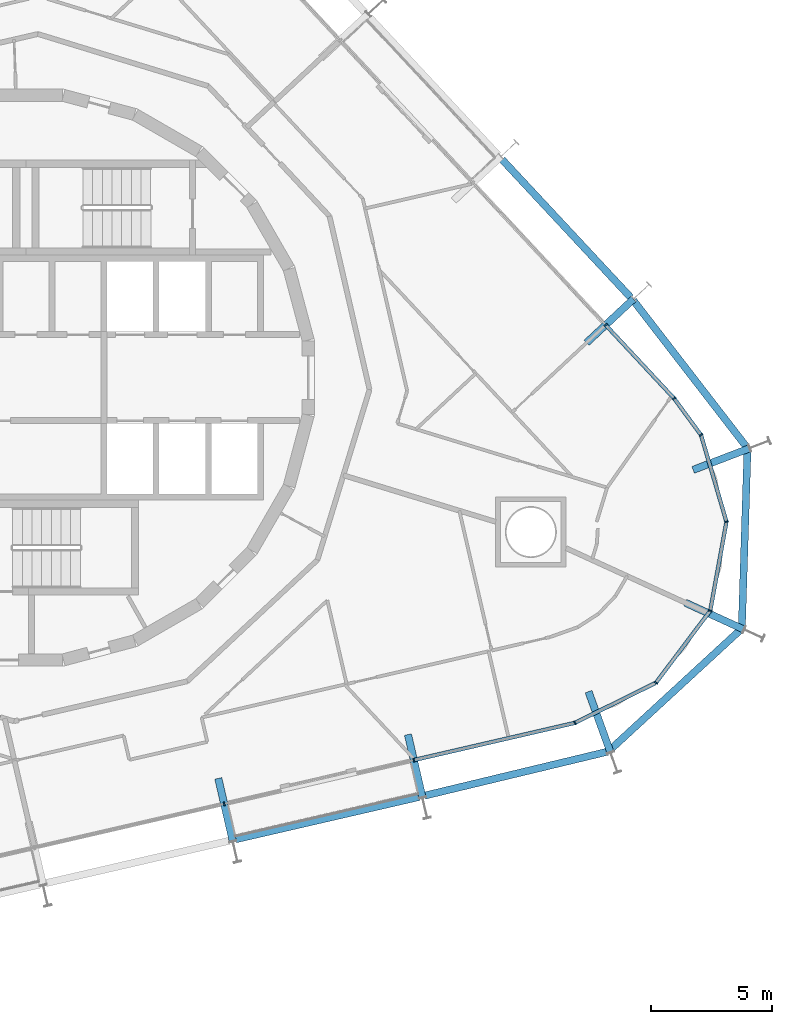
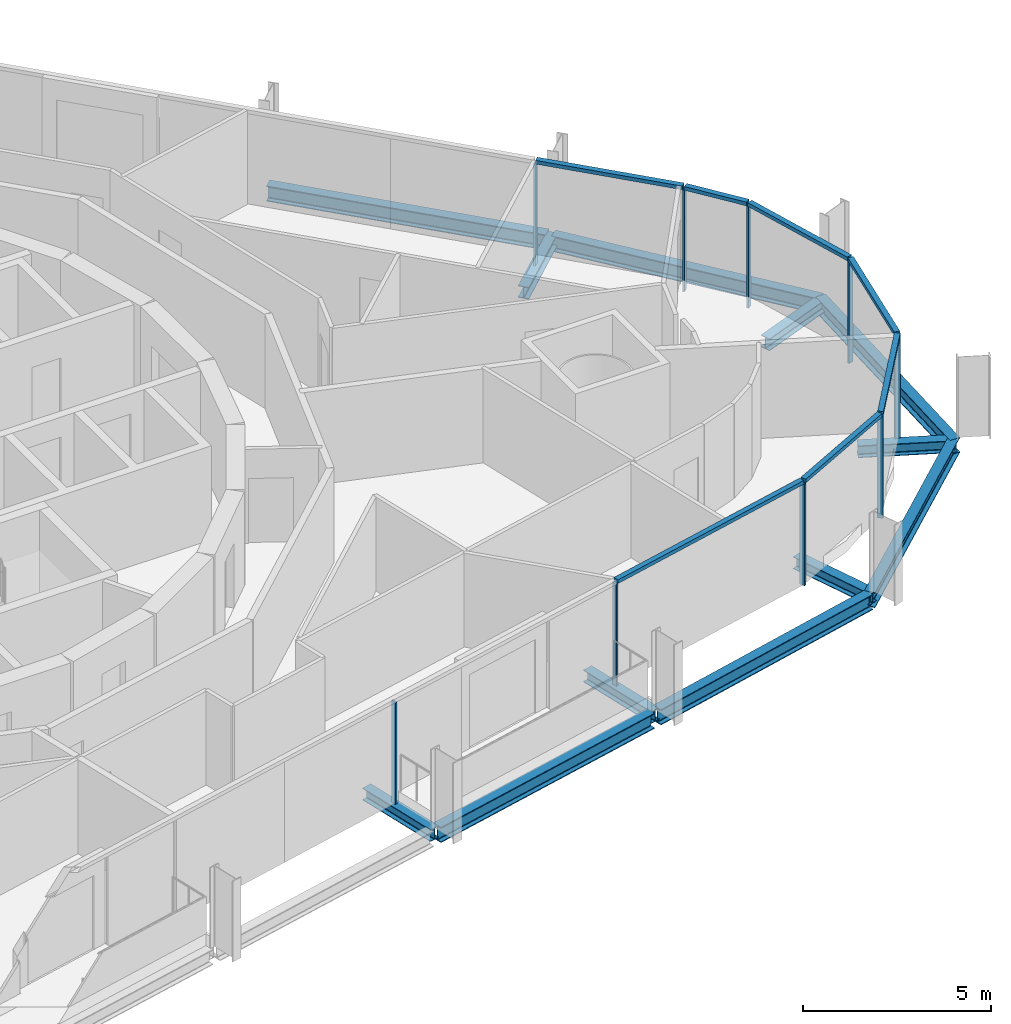
# One storey, part 6 of 18: 16 members, 12 beams, 3 elements without a shape of their own.
"""IFC4 building model written with IfcOpenShell, lengths in metres."""

from ifc_helpers import new_model, si_unit, direction, frame, origin, origin_2d, place, context, subcontext, project, spatial, rectangle, i_section, extrude, material, layer, layer_set, material_profile, profile_set, type_object, element, aggregate, save


model = new_model("IFC4")

# Units and contexts
model_context = context("Model", 3, precision=1e-05, world=origin(), true_north=direction((0.0, 1.0)))
body_context = subcontext(model_context, "Body", "Model", "MODEL_VIEW")
ifc_project = project(units=[si_unit("LENGTHUNIT", "METRE"), si_unit("AREAUNIT", "SQUARE_METRE"), si_unit("VOLUMEUNIT", "CUBIC_METRE"), si_unit("PLANEANGLEUNIT", "RADIAN"), si_unit("MASSUNIT", "GRAM", prefix="KILO")], contexts=[model_context])

# Site, building, storey
site_placement = place(None, origin())
site = spatial("IfcSite", under=ifc_project, at=site_placement, CompositionType="ELEMENT")
building_placement = place(site_placement, origin())
building = spatial("IfcBuilding", under=site, at=building_placement, Name="Spindle Arch Residences", CompositionType="ELEMENT")
storey_placement = place(building_placement, frame((0.0, 0.0, 141.39990234375)))
storey = spatial("IfcBuildingStorey", under=building, at=storey_placement, Name="L35", CompositionType="ELEMENT", Elevation=141.39990234375)

# Curtain wall, members
ifc_material_1 = material(Name="Aluminium bronze unitised frame with tinted glass", Category="aluminium")
ifc_layer_1 = layer(ifc_material_1, 0.159912109375)
ifc_layer_set_1 = layer_set([ifc_layer_1], Name="CW-D corner wall on the fillet arcs")
curtain_wall_type_1 = type_object("IfcCurtainWallType", Name="CW-D corner wall on the fillet arcs", PredefinedType="NOTDEFINED", material=ifc_layer_set_1)
curtain_wall_1_placement = place(storey_placement, origin())
curtain_wall_1 = element("IfcCurtainWall", 1, at=curtain_wall_1_placement, inside=storey, type_object=curtain_wall_type_1, Name="CW-D L35 run 1", PredefinedType="NOTDEFINED")
ifc_material_2 = material(Name="Aluminium bronze anodised mullion", Category="aluminium")
ifc_material_profile_1 = material_profile(ifc_material_2, rectangle(XDim=0.159912109375, YDim=0.06005859375, at=origin_2d()), Name="MU 60x160")
ifc_profile_set_1 = profile_set([ifc_material_profile_1], Name="Aluminium bronze anodised mullion")
member_type_1 = type_object("IfcMemberType", Name="Bronze mullion 60x160", PredefinedType="MULLION", material=ifc_profile_set_1)
member_1_placement = place(storey_placement, frame((16.002685546875, -15.775390625, -0.3798828125), z_axis=(0.0, 0.0, 1.0), x_axis=(-0.224951054344, 0.974370064785, 0.0)))
member_1 = element("IfcMember", 2, at=member_1_placement, type_object=member_type_1, Name="CW-D mullion 00", PredefinedType="MULLION", context=body_context, shape_type="SweptSolid", body=[
    extrude(rectangle(XDim=0.159912109375, YDim=0.06005859375, at=origin_2d()), origin(), (0.0, 0.0, 1.0), 3.31005859375),
])
member_2_placement = place(storey_placement, frame((22.647705078125, -14.2412109375, -0.3798828125), z_axis=(0.0, 0.0, 1.0), x_axis=(-0.443592675931, 0.896228507614, 0.0)))
member_2 = element("IfcMember", 3, at=member_2_placement, type_object=member_type_1, Name="CW-D mullion 01", PredefinedType="MULLION", context=body_context, shape_type="SweptSolid", body=[
    extrude(rectangle(XDim=0.159912109375, YDim=0.06005859375, at=origin_2d()), origin(), (0.0, 0.0, 1.0), 3.31005859375),
])
member_3_placement = place(storey_placement, frame((25.987548828125, -12.588134765625, -0.3798828125), z_axis=(0.0, 0.0, 1.0), x_axis=(-0.798635511056, 0.601815021814, 0.0)))
member_3 = element("IfcMember", 4, at=member_3_placement, type_object=member_type_1, Name="CW-D mullion 02", PredefinedType="MULLION", context=body_context, shape_type="SweptSolid", body=[
    extrude(rectangle(XDim=0.159912109375, YDim=0.06005859375, at=origin_2d()), origin(), (0.0, 0.0, 1.0), 3.31005859375),
])
member_4_placement = place(storey_placement, frame((28.23046875, -9.61181640625, -0.3798828125), z_axis=(0.0, 0.0, 1.0), x_axis=(-0.983780848179, 0.17937458782, 0.0)))
member_4 = element("IfcMember", 5, at=member_4_placement, type_object=member_type_1, Name="CW-D mullion 03", PredefinedType="MULLION", context=body_context, shape_type="SweptSolid", body=[
    extrude(rectangle(XDim=0.159912109375, YDim=0.06005859375, at=origin_2d()), origin(), (0.0, 0.0, 1.0), 3.31005859375),
])
member_5_placement = place(storey_placement, frame((28.89892578125, -5.945556640625, -0.3798828125), z_axis=(0.0, 0.0, 1.0), x_axis=(-0.959641844554, -0.281225052549, 0.0)))
member_5 = element("IfcMember", 6, at=member_5_placement, type_object=member_type_1, Name="CW-D mullion 04", PredefinedType="MULLION", context=body_context, shape_type="SweptSolid", body=[
    extrude(rectangle(XDim=0.159912109375, YDim=0.06005859375, at=origin_2d()), origin(), (0.0, 0.0, 1.0), 3.31005859375),
])
member_6_placement = place(storey_placement, frame((27.850830078125, -2.369140625, -0.3798828125), z_axis=(0.0, 0.0, 1.0), x_axis=(-0.805583724819, -0.592481951039, 0.0)))
member_6 = element("IfcMember", 7, at=member_6_placement, type_object=member_type_1, Name="CW-D mullion 05", PredefinedType="MULLION", context=body_context, shape_type="SweptSolid", body=[
    extrude(rectangle(XDim=0.159912109375, YDim=0.06005859375, at=origin_2d()), origin(), (0.0, 0.0, 1.0), 3.31005859375),
])
member_7_placement = place(storey_placement, frame((26.7392578125, -0.85791015625, -0.3798828125), z_axis=(0.0, 0.0, 1.0), x_axis=(-0.731353701619, -0.681998360062, 0.0)))
member_7 = element("IfcMember", 8, at=member_7_placement, type_object=member_type_1, Name="CW-D mullion 06", PredefinedType="MULLION", context=body_context, shape_type="SweptSolid", body=[
    extrude(rectangle(XDim=0.159912109375, YDim=0.06005859375, at=origin_2d()), origin(), (0.0, 0.0, 1.0), 3.31005859375),
])

# Curtain wall, member
ifc_material_3 = material(Name="Aluminium bronze unitised frame with tinted glass", Category="aluminium")
ifc_layer_2 = layer(ifc_material_3, 0.159912109375)
ifc_layer_set_2 = layer_set([ifc_layer_2], Name="CW-C typical residential unitised wall")
curtain_wall_type_2 = type_object("IfcCurtainWallType", Name="CW-C typical residential unitised wall", PredefinedType="NOTDEFINED", material=ifc_layer_set_2)
curtain_wall_2_placement = place(storey_placement, origin())
curtain_wall_2 = element("IfcCurtainWall", 9, at=curtain_wall_2_placement, inside=storey, type_object=curtain_wall_type_2, Name="CW-C L35 run 2", PredefinedType="NOTDEFINED")
member_8_placement = place(storey_placement, frame((23.91357421875, 2.172607421875, -0.3798828125), z_axis=(0.0, 0.0, 1.0), x_axis=(-0.731353701619, -0.681998360062, 0.0)))
member_8 = element("IfcMember", 10, at=member_8_placement, type_object=member_type_1, Name="CW-C mullion 05", PredefinedType="MULLION", context=body_context, shape_type="SweptSolid", body=[
    extrude(rectangle(XDim=0.159912109375, YDim=0.06005859375, at=origin_2d()), origin(), (0.0, 0.0, 1.0), 3.31005859375),
])
aggregate(curtain_wall_2, [member_8])

curtain_wall_3_placement = place(storey_placement, origin())
curtain_wall_3 = element("IfcCurtainWall", 11, at=curtain_wall_3_placement, inside=storey, type_object=curtain_wall_type_2, Name="CW-C L35 run 6", PredefinedType="NOTDEFINED")
member_9_placement = place(storey_placement, frame((8.17919921875, -17.58154296875, -0.3798828125), z_axis=(0.0, 0.0, 1.0), x_axis=(-0.224951054344, 0.974370064785, 0.0)))
member_9 = element("IfcMember", 12, at=member_9_placement, type_object=member_type_1, Name="CW-C mullion 00", PredefinedType="MULLION", context=body_context, shape_type="SweptSolid", body=[
    extrude(rectangle(XDim=0.159912109375, YDim=0.06005859375, at=origin_2d()), origin(), (0.0, 0.0, 1.0), 3.31005859375),
])
aggregate(curtain_wall_3, [member_9])

# Member
ifc_material_4 = material(Name="Aluminium bronze anodised transom", Category="aluminium")
ifc_material_profile_2 = material_profile(ifc_material_4, rectangle(XDim=0.159912109375, YDim=0.1201171875, at=origin_2d()), Name="TR 120x160")
ifc_profile_set_2 = profile_set([ifc_material_profile_2], Name="Aluminium bronze anodised transom")
member_type_2 = type_object("IfcMemberType", Name="Bronze transom 120x160", PredefinedType="USERDEFINED", material=ifc_profile_set_2)
member_10_placement = place(storey_placement, frame((16.03173828125, -15.7685546875, 2.989990234375), z_axis=(0.974374758263, 0.224930723691, 0.0), x_axis=(-0.224930723691, 0.974374758263, 0.0)))
member_10 = element("IfcMember", 13, at=member_10_placement, type_object=member_type_2, Name="CW-D transom 00", ObjectType="TRANSOM", PredefinedType="USERDEFINED", context=body_context, shape_type="SweptSolid", body=[
    extrude(rectangle(XDim=0.159912109375, YDim=0.1201171875, at=origin_2d()), origin(), (0.0, 0.0, 1.0), 6.760009765625),
])

member_11_placement = place(storey_placement, frame((22.674560546875, -14.22802734375, 2.989990234375), z_axis=(0.896204490037, 0.443641197408, 0.0), x_axis=(-0.443641197408, 0.896204490037, 0.0)))
member_11 = element("IfcMember", 14, at=member_11_placement, type_object=member_type_2, Name="CW-D transom 01", ObjectType="TRANSOM", PredefinedType="USERDEFINED", context=body_context, shape_type="SweptSolid", body=[
    extrude(rectangle(XDim=0.159912109375, YDim=0.1201171875, at=origin_2d()), origin(), (0.0, 0.0, 1.0), 3.666748046875),
])

member_12_placement = place(storey_placement, frame((26.005615234375, -12.564208984375, 2.989990234375), z_axis=(0.601820083797, 0.798631696553, 0.0), x_axis=(-0.798631696553, 0.601820083797, 0.0)))
member_12 = element("IfcMember", 15, at=member_12_placement, type_object=member_type_2, Name="CW-D transom 02", ObjectType="TRANSOM", PredefinedType="USERDEFINED", context=body_context, shape_type="SweptSolid", body=[
    extrude(rectangle(XDim=0.159912109375, YDim=0.1201171875, at=origin_2d()), origin(), (0.0, 0.0, 1.0), 3.666748046875),
])

member_13_placement = place(storey_placement, frame((28.23583984375, -9.582275390625, 2.989990234375), z_axis=(0.179377605594, 0.983780297938, 0.0), x_axis=(-0.983780297938, 0.179377605594, 0.0)))
member_13 = element("IfcMember", 16, at=member_13_placement, type_object=member_type_2, Name="CW-D transom 03", ObjectType="TRANSOM", PredefinedType="USERDEFINED", context=body_context, shape_type="SweptSolid", body=[
    extrude(rectangle(XDim=0.159912109375, YDim=0.1201171875, at=origin_2d()), origin(), (0.0, 0.0, 1.0), 3.666748046875),
])

member_14_placement = place(storey_placement, frame((28.890625, -5.916748046875, 2.989990234375), z_axis=(-0.281239778168, 0.959637529058, 0.0), x_axis=(-0.959637529058, -0.281239778168, 0.0)))
member_14 = element("IfcMember", 17, at=member_14_placement, type_object=member_type_2, Name="CW-D transom 04", ObjectType="TRANSOM", PredefinedType="USERDEFINED", context=body_context, shape_type="SweptSolid", body=[
    extrude(rectangle(XDim=0.159912109375, YDim=0.1201171875, at=origin_2d()), origin(), (0.0, 0.0, 1.0), 3.666748046875),
])

member_15_placement = place(storey_placement, frame((27.833251953125, -2.344970703125, 2.989990234375), z_axis=(-0.592575212526, 0.805515125557, 0.0), x_axis=(-0.805515125557, -0.592575212526, 0.0)))
member_15 = element("IfcMember", 18, at=member_15_placement, type_object=member_type_2, Name="CW-D transom 05", ObjectType="TRANSOM", PredefinedType="USERDEFINED", context=body_context, shape_type="SweptSolid", body=[
    extrude(rectangle(XDim=0.159912109375, YDim=0.1201171875, at=origin_2d()), origin(), (0.0, 0.0, 1.0), 1.816162109375),
])

member_16_placement = place(storey_placement, frame((26.718994140625, -0.8359375, 2.989990234375), z_axis=(-0.681983744213, 0.731367330846, 0.0), x_axis=(-0.731367330846, -0.681983744213, 0.0)))
member_16 = element("IfcMember", 19, at=member_16_placement, type_object=member_type_2, Name="CW-D transom 06", ObjectType="TRANSOM", PredefinedType="USERDEFINED", context=body_context, shape_type="SweptSolid", body=[
    extrude(rectangle(XDim=0.159912109375, YDim=0.1201171875, at=origin_2d()), origin(), (0.0, 0.0, 1.0), 4.08349609375),
])

aggregate(curtain_wall_1, [member_1, member_10, member_2, member_11, member_3, member_12, member_4, member_13, member_5, member_14, member_6, member_15, member_7, member_16])

# Beams
ifc_material_5 = material(Name="Steel S460ML, intumescent coating R 120", Category="steel")
ifc_material_profile_3 = material_profile(ifc_material_5, i_section(OverallWidth=0.300048828125, OverallDepth=0.5, WebThickness=0.014404296875, FlangeThickness=0.028076171875, FilletRadius=0.027099609375, at=origin_2d()), Name="HEB 500")
ifc_profile_set_3 = profile_set([ifc_material_profile_3], Name="Steel S460ML, intumescent coating R 120")
beam_type_1 = type_object("IfcBeamType", Name="Exoskeleton edge beam HEB 500", PredefinedType="BEAM", material=ifc_profile_set_3)
beam_1_placement = place(storey_placement, frame((8.64990234375, -19.043212890625, -0.6298828125), z_axis=(0.974368417755, 0.224958188297, 0.0), x_axis=(-0.224958188297, 0.974368417755, 0.0)))
element("IfcBeam", 20, at=beam_1_placement, inside=storey, type_object=beam_type_1, Name="Exoskeleton edge beam 1", PredefinedType="BEAM", context=body_context, shape_type="SweptSolid", body=[
    extrude(i_section(OverallWidth=0.300048828125, OverallDepth=0.5, WebThickness=0.014404296875, FlangeThickness=0.028076171875, FilletRadius=0.027099609375, at=origin_2d()), origin(), (0.0, 0.0, 1.0), 7.76953125),
])
beam_2_placement = place(storey_placement, frame((16.44482421875, -17.243408203125, -0.6298828125), z_axis=(0.972297635128, 0.233746248579, 0.0), x_axis=(-0.233746248579, 0.972297635128, 0.0)))
element("IfcBeam", 21, at=beam_2_placement, inside=storey, type_object=beam_type_1, Name="Exoskeleton edge beam 2", PredefinedType="BEAM", context=body_context, shape_type="SweptSolid", body=[
    extrude(i_section(OverallWidth=0.300048828125, OverallDepth=0.5, WebThickness=0.014404296875, FlangeThickness=0.028076171875, FilletRadius=0.027099609375, at=origin_2d()), origin(), (0.0, 0.0, 1.0), 7.7666015625),
])
for number, where, z_axis, x_axis, name in (
    (22, (24.025146484375, -15.419189453125, -0.6298828125), (0.73568442847, 0.677324458223, 0.0), (-0.677324458223, 0.73568442847, 0.0), "Exoskeleton edge beam 3"),
    (23, (29.5283203125, -10.42578125, -0.6298828125), (0.031715707037, 0.999496930424, 0.0), (-0.999496930424, 0.031715707037, 0.0), "Exoskeleton edge beam 4"),
):
    element("IfcBeam", number, at=place(storey_placement, frame(where, z_axis=z_axis, x_axis=x_axis)), inside=storey, type_object=beam_type_1, Name=name, PredefinedType="BEAM", context=body_context, shape_type="SweptSolid", body=[
        extrude(i_section(OverallWidth=0.300048828125, OverallDepth=0.5, WebThickness=0.014404296875, FlangeThickness=0.028076171875, FilletRadius=0.027099609375, at=origin_2d()), origin(), (0.0, 0.0, 1.0), 7.559326171875),
    ])
beam_3_placement = place(storey_placement, frame((29.766845703125, -2.91259765625, -0.6298828125), z_axis=(-0.611305970043, 0.791394346069, 0.0), x_axis=(-0.791394346069, -0.611305970043, 0.0)))
element("IfcBeam", 24, at=beam_3_placement, inside=storey, type_object=beam_type_1, Name="Exoskeleton edge beam 5", PredefinedType="BEAM", context=body_context, shape_type="SweptSolid", body=[
    extrude(i_section(OverallWidth=0.300048828125, OverallDepth=0.5, WebThickness=0.014404296875, FlangeThickness=0.028076171875, FilletRadius=0.027099609375, at=origin_2d()), origin(), (0.0, 0.0, 1.0), 7.708251953125),
])
beam_4_placement = place(storey_placement, frame((24.94384765625, 3.31103515625, -0.6298828125), z_axis=(-0.682008048331, 0.731344667042, 0.0), x_axis=(-0.731344667042, -0.682008048331, 0.0)))
element("IfcBeam", 25, at=beam_4_placement, inside=storey, type_object=beam_type_1, Name="Exoskeleton edge beam 6", PredefinedType="BEAM", context=body_context, shape_type="SweptSolid", body=[
    extrude(i_section(OverallWidth=0.300048828125, OverallDepth=0.5, WebThickness=0.014404296875, FlangeThickness=0.028076171875, FilletRadius=0.027099609375, at=origin_2d()), origin(), (0.0, 0.0, 1.0), 7.76904296875),
])
ifc_material_6 = material(Name="Steel S460ML, intumescent coating R 120", Category="steel")
ifc_material_profile_4 = material_profile(ifc_material_6, i_section(OverallWidth=0.300048828125, OverallDepth=0.389892578125, WebThickness=0.010986328125, FlangeThickness=0.01904296875, FilletRadius=0.027099609375, at=origin_2d()), Name="HEA 400")
ifc_profile_set_4 = profile_set([ifc_material_profile_4], Name="Steel S460ML, intumescent coating R 120")
beam_type_2 = type_object("IfcBeamType", Name="Floor outrigger HEA 400", PredefinedType="BEAM", material=ifc_profile_set_4)
for number, where, z_axis, x_axis, name in (
    (26, (8.532470703125, -19.111328125, -0.574951171875), (-0.224980619228, 0.974363238721, 0.0), (-0.974363238721, -0.224980619228, 0.0), "Floor outrigger 1"),
    (27, (16.355712890625, -17.30517578125, -0.574951171875), (-0.224893150114, 0.974383431218, 0.0), (-0.974383431218, -0.224893150114, 0.0), "Floor outrigger 2"),
):
    element("IfcBeam", number, at=place(storey_placement, frame(where, z_axis=z_axis, x_axis=x_axis)), inside=storey, type_object=beam_type_2, Name=name, PredefinedType="BEAM", context=body_context, shape_type="SweptSolid", body=[
        extrude(i_section(OverallWidth=0.300048828125, OverallDepth=0.389892578125, WebThickness=0.010986328125, FlangeThickness=0.01904296875, FilletRadius=0.027099609375, at=origin_2d()), origin(), (0.0, 0.0, 1.0), 2.64990234375),
    ])
beam_5_placement = place(storey_placement, frame((24.1083984375, -15.444580078125, -0.574951171875), z_axis=(-0.339759917159, 0.940512200183, 0.0), x_axis=(-0.940512200183, -0.339759917159, 0.0)))
element("IfcBeam", 28, at=beam_5_placement, inside=storey, type_object=beam_type_2, Name="Floor outrigger 3", PredefinedType="BEAM", context=body_context, shape_type="SweptSolid", body=[
    extrude(i_section(OverallWidth=0.300048828125, OverallDepth=0.389892578125, WebThickness=0.010986328125, FlangeThickness=0.01904296875, FilletRadius=0.027099609375, at=origin_2d()), origin(), (0.0, 0.0, 1.0), 2.650146484375),
])
beam_6_placement = place(storey_placement, frame((29.604736328125, -10.384033203125, -0.574951171875), z_axis=(-0.909319126007, 0.416099419703, 0.0), x_axis=(-0.416099419703, -0.909319126007, 0.0)))
element("IfcBeam", 29, at=beam_6_placement, inside=storey, type_object=beam_type_2, Name="Floor outrigger 4", PredefinedType="BEAM", context=body_context, shape_type="SweptSolid", body=[
    extrude(i_section(OverallWidth=0.300048828125, OverallDepth=0.389892578125, WebThickness=0.010986328125, FlangeThickness=0.01904296875, FilletRadius=0.027099609375, at=origin_2d()), origin(), (0.0, 0.0, 1.0), 2.649658203125),
])
beam_7_placement = place(storey_placement, frame((29.841796875, -2.9169921875, -0.574951171875), z_axis=(-0.933858846877, -0.35764179581, 0.0), x_axis=(0.35764179581, -0.933858846877, 0.0)))
element("IfcBeam", 30, at=beam_7_placement, inside=storey, type_object=beam_type_2, Name="Floor outrigger 5", PredefinedType="BEAM", context=body_context, shape_type="SweptSolid", body=[
    extrude(i_section(OverallWidth=0.300048828125, OverallDepth=0.389892578125, WebThickness=0.010986328125, FlangeThickness=0.01904296875, FilletRadius=0.027099609375, at=origin_2d()), origin(), (0.0, 0.0, 1.0), 2.484130859375),
])
beam_8_placement = place(storey_placement, frame((25.061767578125, 3.2431640625, -0.574951171875), z_axis=(-0.731321752584, -0.682032619599, 0.0), x_axis=(0.682032619599, -0.731321752584, 0.0)))
element("IfcBeam", 31, at=beam_8_placement, inside=storey, type_object=beam_type_2, Name="Floor outrigger 6", PredefinedType="BEAM", context=body_context, shape_type="SweptSolid", body=[
    extrude(i_section(OverallWidth=0.300048828125, OverallDepth=0.389892578125, WebThickness=0.010986328125, FlangeThickness=0.01904296875, FilletRadius=0.027099609375, at=origin_2d()), origin(), (0.0, 0.0, 1.0), 2.64990234375),
])

save(model, "model.ifc")
